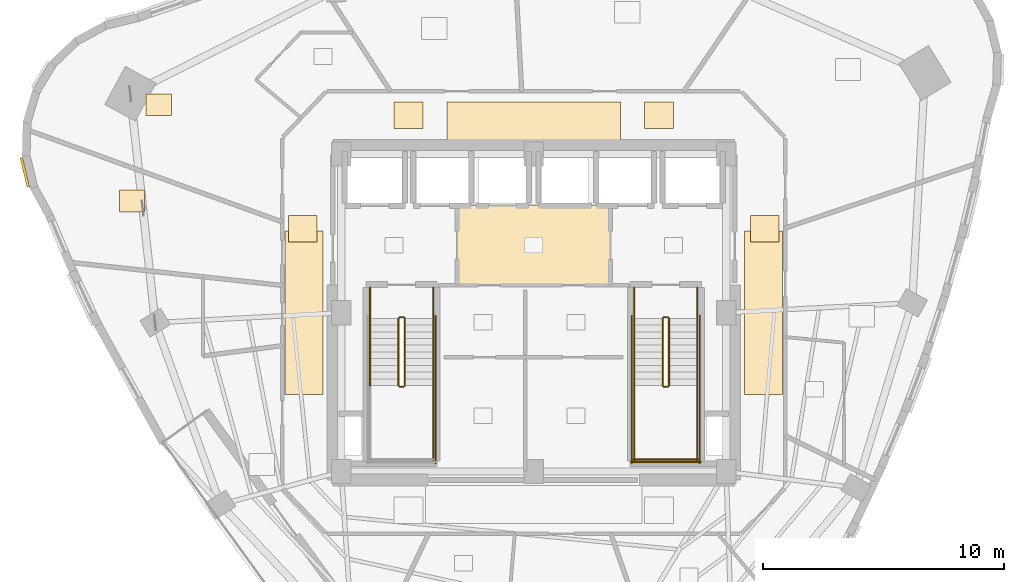
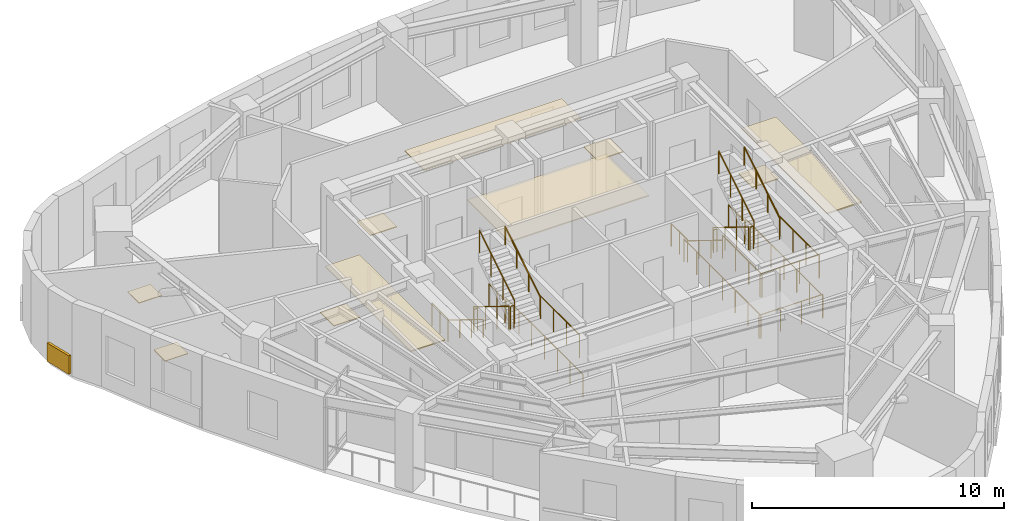
# One storey, part 12 of 13: 24 railings, 11 coverings.
"""IFC4 building model written with IfcOpenShell, lengths in metres."""

from ifc_helpers import new_model, si_unit, direction, frame, origin, origin_2d, place, context, subcontext, project, spatial, rectangle, circle, extrude, material, layer, layer_set, type_object, element, save


model = new_model("IFC4")

# Units and contexts
model_context = context("Model", 3, precision=1e-05, world=origin(), true_north=direction((0.0, 1.0)))
body_context = subcontext(model_context, "Body", "Model", "MODEL_VIEW")
ifc_project = project(units=[si_unit("LENGTHUNIT", "METRE"), si_unit("AREAUNIT", "SQUARE_METRE"), si_unit("VOLUMEUNIT", "CUBIC_METRE"), si_unit("PLANEANGLEUNIT", "RADIAN"), si_unit("MASSUNIT", "GRAM", prefix="KILO")], contexts=[model_context])

# Site, building, storey
site_placement = place(None, origin())
site = spatial("IfcSite", under=ifc_project, at=site_placement, CompositionType="ELEMENT")
building_placement = place(site_placement, origin())
building = spatial("IfcBuilding", under=site, at=building_placement, Name="Ndelora Gate Hotel", CompositionType="ELEMENT")
storey_placement = place(building_placement, frame((0.0, 0.0, 228.35009765625)))
storey = spatial("IfcBuildingStorey", under=building, at=storey_placement, Name="L57", CompositionType="ELEMENT", Elevation=228.35009765625)

# Coverings
ifc_material_1 = material(Name="Perforated Acoustic Gypsum Board", Category="gypsum")
ifc_layer_1 = layer(ifc_material_1, 0.054931640625)
ifc_layer_set_1 = layer_set([ifc_layer_1], Name="Perforated Acoustic Gypsum Board")
covering_type_1 = type_object("IfcCoveringType", Name="COV-CEIL-AC60", PredefinedType="CEILING", material=ifc_layer_set_1)
covering_1_placement = place(storey_placement, frame((0.0, 2.800048828125, 2.72265625), z_axis=(0.0, 0.0, 1.0), x_axis=(1.0, 0.0, 0.0)))
element("IfcCovering", 1, at=covering_1_placement, inside=storey, type_object=covering_type_1, Name="L57 Lift Lobby Acoustic Ceiling", PredefinedType="CEILING", context=body_context, shape_type="SweptSolid", body=[
    extrude(rectangle(XDim=6.39990234375, YDim=3.340087890625, at=origin_2d()), origin(), (0.0, 0.0, 1.0), 0.054931640625),
])
covering_2_placement = place(storey_placement, frame((0.0, 7.9599609375, 2.65234375), z_axis=(0.0, 0.0, 1.0), x_axis=(1.0, 0.0, 0.0)))
element("IfcCovering", 2, at=covering_2_placement, inside=storey, type_object=covering_type_1, Name="L57 Guest Corridor Acoustic Ceiling N", PredefinedType="CEILING", context=body_context, shape_type="SweptSolid", body=[
    extrude(rectangle(XDim=7.199951171875, YDim=1.580078125, at=origin_2d()), origin(), (0.0, 0.0, 1.0), 0.054931640625),
])
for number, where, z_axis, x_axis, name in (
    (3, (-9.550048828125, 0.0, 2.65234375), (0.0, 0.0, 1.0), (1.0, 0.0, 0.0), "L57 Guest Corridor Acoustic Ceiling W"),
    (4, (9.550048828125, 0.0, 2.65234375), (0.0, 0.0, 1.0), (1.0, 0.0, 0.0), "L57 Guest Corridor Acoustic Ceiling E"),
):
    element("IfcCovering", number, at=place(storey_placement, frame(where, z_axis=z_axis, x_axis=x_axis)), inside=storey, type_object=covering_type_1, Name=name, PredefinedType="CEILING", context=body_context, shape_type="SweptSolid", body=[
        extrude(rectangle(XDim=1.580078125, YDim=6.800048828125, at=origin_2d()), origin(), (0.0, 0.0, 1.0), 0.054931640625),
    ])
ifc_material_2 = material(Name="Terracotta Fired Clay Brick Slip Cladding", Category="masonry")
ifc_layer_2 = layer(ifc_material_2, 0.110107421875)
ifc_layer_set_2 = layer_set([ifc_layer_2], Name="Terracotta Fired Clay Brick Slip Cladding")
covering_type_2 = type_object("IfcCoveringType", Name="COV-CLAD-BRK", PredefinedType="CLADDING", material=ifc_layer_set_2)
covering_3_placement = place(storey_placement, frame((-21.147216796875, 5.834228515625, 0.099853515625), z_axis=(0.0, 0.0, 1.0), x_axis=(-0.233445363856, 0.972369920398, 0.0)))
element("IfcCovering", 5, at=covering_3_placement, inside=storey, type_object=covering_type_2, Name="L57 Rounded-Corner Brick Cladding Band 7", PredefinedType="CLADDING", context=body_context, shape_type="SweptSolid", body=[
    extrude(rectangle(XDim=1.258056640625, YDim=0.110107421875, at=origin_2d()), origin(), (0.0, 0.0, 1.0), 0.89990234375),
])
ifc_material_3 = material(Name="Engineered Highland Oak Parquet", Category="wood")
ifc_layer_3 = layer(ifc_material_3, 0.030029296875)
ifc_layer_set_3 = layer_set([ifc_layer_3], Name="Engineered Highland Oak Parquet")
covering_type_3 = type_object("IfcCoveringType", Name="COV-FLR-PARQ", PredefinedType="FLOORING", material=ifc_layer_set_3)
for number, where, z_axis, x_axis, name in (
    (6, (-15.585205078125, 8.64306640625, 0.0), (0.0, 0.0, 1.0), (1.0, 0.0, 0.0), "L57 Altitude King Junior Suite 6004 Oak Parquet Flooring"),
    (7, (-16.696533203125, 4.6455078125, 0.0), (0.0, 0.0, 1.0), (1.0, 0.0, 0.0), "L57 Housekeeping and Linen Room Oak Parquet Flooring"),
):
    element("IfcCovering", number, at=place(storey_placement, frame(where, z_axis=z_axis, x_axis=x_axis)), inside=storey, type_object=covering_type_3, Name=name, PredefinedType="FLOORING", context=body_context, shape_type="SweptSolid", body=[
        extrude(rectangle(XDim=1.050048828125, YDim=0.89990234375, at=origin_2d()), origin(), (0.0, 0.0, 1.0), 0.030029296875),
    ])
ifc_material_4 = material(Name="Polished Highland Stone Terrazzo", Category="masonry")
ifc_layer_4 = layer(ifc_material_4, 0.034912109375)
ifc_layer_set_4 = layer_set([ifc_layer_4], Name="Polished Highland Stone Terrazzo")
covering_type_4 = type_object("IfcCoveringType", Name="COV-FLR-TERZ", PredefinedType="FLOORING", material=ifc_layer_set_4)
for number, where, z_axis, x_axis, name in (
    (8, (-5.199951171875, 8.199951171875, 0.0), (0.0, 0.0, 1.0), (1.0, 0.0, 0.0), "L57 Corridor Threshold Terrazzo Inlay NW"),
    (9, (5.199951171875, 8.199951171875, 0.0), (0.0, 0.0, 1.0), (1.0, 0.0, 0.0), "L57 Corridor Threshold Terrazzo Inlay NE"),
    (10, (-9.60009765625, 3.5, 0.0), (0.0, 0.0, 1.0), (1.0, 0.0, 0.0), "L57 Corridor Threshold Terrazzo Inlay W"),
    (11, (9.60009765625, 3.5, 0.0), (0.0, 0.0, 1.0), (1.0, 0.0, 0.0), "L57 Corridor Threshold Terrazzo Inlay E"),
):
    element("IfcCovering", number, at=place(storey_placement, frame(where, z_axis=z_axis, x_axis=x_axis)), inside=storey, type_object=covering_type_4, Name=name, PredefinedType="FLOORING", context=body_context, shape_type="SweptSolid", body=[
        extrude(rectangle(XDim=1.199951171875, YDim=1.10009765625, at=origin_2d()), origin(), (0.0, 0.0, 1.0), 0.034912109375),
    ])

# Railings
ifc_material_5 = material(Name="Painted Galvanized Steel Balustrade", Category="steel")
ifc_layer_5 = layer(ifc_material_5, 0.06005859375)
ifc_layer_set_5 = layer_set([ifc_layer_5], Name="Painted Galvanized Steel Balustrade")
railing_type_1 = type_object("IfcRailingType", Name="RL-STAIR-GD", PredefinedType="GUARDRAIL", material=ifc_layer_set_5)
railing_1_placement = place(storey_placement, frame((-5.6201171875, -0.22998046875, 0.172607421875)))
element("IfcRailing", 12, at=railing_1_placement, inside=storey, type_object=railing_type_1, Name="L57 ST4 stair guard 1", PredefinedType="GUARDRAIL", context=body_context, shape_type="SweptSolid", body=[
    extrude(circle(Radius=0.02392578125, at=origin_2d()), frame((0.0, 0.0, 1.10595703125), z_axis=(0.0, -0.851089632645, 0.525020415988), x_axis=(1.0, 0.0, 0.0)), (0.0, 0.0, 1.0), 3.2900390625),
    extrude(circle(Radius=0.02099609375, at=origin_2d()), origin(), (0.0, 0.0, 1.0), 1.081787109375),
    extrude(circle(Radius=0.02099609375, at=origin_2d()), frame((0.0, -0.933349609375, 0.57568359375)), (0.0, 0.0, 1.0), 1.081787109375),
    extrude(circle(Radius=0.02099609375, at=origin_2d()), frame((0.0, -1.86669921875, 1.151611328125)), (0.0, 0.0, 1.0), 1.081787109375),
    extrude(circle(Radius=0.02099609375, at=origin_2d()), frame((0.0, -2.800048828125, 1.727294921875)), (0.0, 0.0, 1.0), 1.081787109375),
])
railing_2_placement = place(storey_placement, frame((-5.570068359375, -3.080078125, 1.89990234375)))
element("IfcRailing", 13, at=railing_2_placement, inside=storey, type_object=railing_type_1, Name="L57 ST4 stair guard 2", PredefinedType="GUARDRAIL", context=body_context, shape_type="SweptSolid", body=[
    extrude(circle(Radius=0.02392578125, at=origin_2d()), frame((0.0, 0.0, 1.10595703125), z_axis=(1.0, 0.0, 0.0), x_axis=(0.0, 1.0, 0.0)), (0.0, 0.0, 1.0), 0.16015625),
    extrude(circle(Radius=0.02099609375, at=origin_2d()), origin(), (0.0, 0.0, 1.0), 1.081787109375),
    extrude(circle(Radius=0.02099609375, at=origin_2d()), frame((0.16015625, 0.0, 0.0)), (0.0, 0.0, 1.0), 1.081787109375),
])
railing_3_placement = place(storey_placement, frame((-4.179931640625, -3.030029296875, 1.89990234375)))
element("IfcRailing", 14, at=railing_3_placement, inside=storey, type_object=railing_type_1, Name="L57 ST4 stair guard 4", PredefinedType="GUARDRAIL", context=body_context, shape_type="SweptSolid", body=[
    extrude(circle(Radius=0.02392578125, at=origin_2d()), frame((0.0, 0.0, 1.10595703125), z_axis=(0.0, -1.0, 0.0), x_axis=(1.0, 0.0, 0.0)), (0.0, 0.0, 1.0), 3.119873046875),
    extrude(circle(Radius=0.02099609375, at=origin_2d()), origin(), (0.0, 0.0, 1.0), 1.081787109375),
    extrude(circle(Radius=0.02099609375, at=origin_2d()), frame((0.0, -1.0400390625, 0.0)), (0.0, 0.0, 1.0), 1.081787109375),
    extrude(circle(Radius=0.02099609375, at=origin_2d()), frame((0.0, -2.079833984375, 0.0)), (0.0, 0.0, 1.0), 1.081787109375),
    extrude(circle(Radius=0.02099609375, at=origin_2d()), frame((0.0, -3.119873046875, 0.0)), (0.0, 0.0, 1.0), 1.081787109375),
])
railing_4_placement = place(storey_placement, frame((-5.360107421875, -3.030029296875, 2.072509765625)))
element("IfcRailing", 15, at=railing_4_placement, inside=storey, type_object=railing_type_1, Name="L57 ST4 stair guard 6", PredefinedType="GUARDRAIL", context=body_context, shape_type="SweptSolid", body=[
    extrude(circle(Radius=0.02392578125, at=origin_2d()), frame((0.0, 0.0, 1.10595703125), z_axis=(0.0, 0.851089632645, 0.525020415988), x_axis=(-1.0, 0.0, 0.0)), (0.0, 0.0, 1.0), 3.2900390625),
    extrude(circle(Radius=0.02099609375, at=origin_2d()), origin(), (0.0, 0.0, 1.0), 1.081787109375),
    extrude(circle(Radius=0.02099609375, at=origin_2d()), frame((0.0, 0.933349609375, 0.57568359375)), (0.0, 0.0, 1.0), 1.081787109375),
    extrude(circle(Radius=0.02099609375, at=origin_2d()), frame((0.0, 1.86669921875, 1.151611328125)), (0.0, 0.0, 1.0), 1.081787109375),
    extrude(circle(Radius=0.02099609375, at=origin_2d()), frame((0.0, 2.800048828125, 1.727294921875)), (0.0, 0.0, 1.0), 1.081787109375),
])
railing_5_placement = place(storey_placement, frame((-5.570068359375, -0.179931640625, 0.0)))
element("IfcRailing", 16, at=railing_5_placement, inside=storey, type_object=railing_type_1, Name="L57 ST4 stair guard 7", PredefinedType="GUARDRAIL", context=body_context, shape_type="SweptSolid", body=[
    extrude(circle(Radius=0.02392578125, at=origin_2d()), frame((0.0, 0.0, 1.10595703125), z_axis=(1.0, 0.0, 0.0), x_axis=(0.0, 1.0, 0.0)), (0.0, 0.0, 1.0), 0.16015625),
    extrude(circle(Radius=0.02099609375, at=origin_2d()), origin(), (0.0, 0.0, 1.0), 1.081787109375),
    extrude(circle(Radius=0.02099609375, at=origin_2d()), frame((0.16015625, 0.0, 0.0)), (0.0, 0.0, 1.0), 1.081787109375),
])
for number, where, name in (
    (17, (-6.800048828125, 1.050048828125, 0.0), "L57 ST4 stair guard 8"),
    (18, (-4.179931640625, 1.050048828125, 0.0), "L57 ST4 stair guard 9"),
):
    element("IfcRailing", number, at=place(storey_placement, frame(where)), inside=storey, type_object=railing_type_1, Name=name, PredefinedType="GUARDRAIL", context=body_context, shape_type="SweptSolid", body=[
        extrude(circle(Radius=0.02392578125, at=origin_2d()), frame((0.0, 0.0, 1.10595703125), z_axis=(0.0, -1.0, 0.0), x_axis=(1.0, 0.0, 0.0)), (0.0, 0.0, 1.0), 1.280029296875),
        extrude(circle(Radius=0.02099609375, at=origin_2d()), origin(), (0.0, 0.0, 1.0), 1.081787109375),
        extrude(circle(Radius=0.02099609375, at=origin_2d()), frame((0.0, -0.64013671875, 0.0)), (0.0, 0.0, 1.0), 1.081787109375),
        extrude(circle(Radius=0.02099609375, at=origin_2d()), frame((0.0, -1.280029296875, 0.0)), (0.0, 0.0, 1.0), 1.081787109375),
    ])
railing_6_placement = place(storey_placement, frame((-4.080078125, -0.1298828125, 0.0)))
element("IfcRailing", 19, at=railing_6_placement, inside=storey, type_object=railing_type_1, Name="L57 ST4 stair guard 11", PredefinedType="GUARDRAIL", context=body_context, shape_type="SweptSolid", body=[
    extrude(circle(Radius=0.02392578125, at=origin_2d()), frame((0.0, 0.0, 1.10595703125), z_axis=(0.0, -1.0, 0.0), x_axis=(1.0, 0.0, 0.0)), (0.0, 0.0, 1.0), 6.1201171875),
    extrude(circle(Radius=0.02099609375, at=origin_2d()), origin(), (0.0, 0.0, 1.0), 1.081787109375),
    extrude(circle(Radius=0.02099609375, at=origin_2d()), frame((0.0, -1.02001953125, 0.0)), (0.0, 0.0, 1.0), 1.081787109375),
    extrude(circle(Radius=0.02099609375, at=origin_2d()), frame((0.0, -2.0400390625, 0.0)), (0.0, 0.0, 1.0), 1.081787109375),
    extrude(circle(Radius=0.02099609375, at=origin_2d()), frame((0.0, -3.06005859375, 0.0)), (0.0, 0.0, 1.0), 1.081787109375),
    extrude(circle(Radius=0.02099609375, at=origin_2d()), frame((0.0, -4.080078125, 0.0)), (0.0, 0.0, 1.0), 1.081787109375),
    extrude(circle(Radius=0.02099609375, at=origin_2d()), frame((0.0, -5.10009765625, 0.0)), (0.0, 0.0, 1.0), 1.081787109375),
    extrude(circle(Radius=0.02099609375, at=origin_2d()), frame((0.0, -6.1201171875, 0.0)), (0.0, 0.0, 1.0), 1.081787109375),
])
railing_7_placement = place(storey_placement, frame((5.360107421875, -0.22998046875, 0.172607421875)))
element("IfcRailing", 20, at=railing_7_placement, inside=storey, type_object=railing_type_1, Name="L57 ST5 stair guard 1", PredefinedType="GUARDRAIL", context=body_context, shape_type="SweptSolid", body=[
    extrude(circle(Radius=0.02392578125, at=origin_2d()), frame((0.0, 0.0, 1.10595703125), z_axis=(0.0, -0.851089632645, 0.525020415988), x_axis=(1.0, 0.0, 0.0)), (0.0, 0.0, 1.0), 3.2900390625),
    extrude(circle(Radius=0.02099609375, at=origin_2d()), origin(), (0.0, 0.0, 1.0), 1.081787109375),
    extrude(circle(Radius=0.02099609375, at=origin_2d()), frame((0.0, -0.933349609375, 0.57568359375)), (0.0, 0.0, 1.0), 1.081787109375),
    extrude(circle(Radius=0.02099609375, at=origin_2d()), frame((0.0, -1.86669921875, 1.151611328125)), (0.0, 0.0, 1.0), 1.081787109375),
    extrude(circle(Radius=0.02099609375, at=origin_2d()), frame((0.0, -2.800048828125, 1.727294921875)), (0.0, 0.0, 1.0), 1.081787109375),
])
railing_8_placement = place(storey_placement, frame((5.409912109375, -3.080078125, 1.89990234375)))
element("IfcRailing", 21, at=railing_8_placement, inside=storey, type_object=railing_type_1, Name="L57 ST5 stair guard 2", PredefinedType="GUARDRAIL", context=body_context, shape_type="SweptSolid", body=[
    extrude(circle(Radius=0.02392578125, at=origin_2d()), frame((0.0, 0.0, 1.10595703125), z_axis=(1.0, 0.0, 0.0), x_axis=(0.0, 1.0, 0.0)), (0.0, 0.0, 1.0), 0.16015625),
    extrude(circle(Radius=0.02099609375, at=origin_2d()), origin(), (0.0, 0.0, 1.0), 1.081787109375),
    extrude(circle(Radius=0.02099609375, at=origin_2d()), frame((0.16015625, 0.0, 0.0)), (0.0, 0.0, 1.0), 1.081787109375),
])
for number, where, name in (
    (22, (4.179931640625, -3.030029296875, 1.89990234375), "L57 ST5 stair guard 3"),
    (23, (6.800048828125, -3.030029296875, 1.89990234375), "L57 ST5 stair guard 4"),
):
    element("IfcRailing", number, at=place(storey_placement, frame(where)), inside=storey, type_object=railing_type_1, Name=name, PredefinedType="GUARDRAIL", context=body_context, shape_type="SweptSolid", body=[
        extrude(circle(Radius=0.02392578125, at=origin_2d()), frame((0.0, 0.0, 1.10595703125), z_axis=(0.0, -1.0, 0.0), x_axis=(1.0, 0.0, 0.0)), (0.0, 0.0, 1.0), 3.119873046875),
        extrude(circle(Radius=0.02099609375, at=origin_2d()), origin(), (0.0, 0.0, 1.0), 1.081787109375),
        extrude(circle(Radius=0.02099609375, at=origin_2d()), frame((0.0, -1.0400390625, 0.0)), (0.0, 0.0, 1.0), 1.081787109375),
        extrude(circle(Radius=0.02099609375, at=origin_2d()), frame((0.0, -2.079833984375, 0.0)), (0.0, 0.0, 1.0), 1.081787109375),
        extrude(circle(Radius=0.02099609375, at=origin_2d()), frame((0.0, -3.119873046875, 0.0)), (0.0, 0.0, 1.0), 1.081787109375),
    ])
railing_9_placement = place(storey_placement, frame((4.1298828125, -6.10009765625, 1.89990234375)))
element("IfcRailing", 24, at=railing_9_placement, inside=storey, type_object=railing_type_1, Name="L57 ST5 stair guard 5", PredefinedType="GUARDRAIL", context=body_context, shape_type="SweptSolid", body=[
    extrude(circle(Radius=0.02392578125, at=origin_2d()), frame((0.0, 0.0, 1.10595703125), z_axis=(1.0, 0.0, 0.0), x_axis=(0.0, 1.0, 0.0)), (0.0, 0.0, 1.0), 2.72021484375),
    extrude(circle(Radius=0.02099609375, at=origin_2d()), origin(), (0.0, 0.0, 1.0), 1.081787109375),
    extrude(circle(Radius=0.02099609375, at=origin_2d()), frame((0.90673828125, 0.0, 0.0)), (0.0, 0.0, 1.0), 1.081787109375),
    extrude(circle(Radius=0.02099609375, at=origin_2d()), frame((1.8134765625, 0.0, 0.0)), (0.0, 0.0, 1.0), 1.081787109375),
    extrude(circle(Radius=0.02099609375, at=origin_2d()), frame((2.72021484375, 0.0, 0.0)), (0.0, 0.0, 1.0), 1.081787109375),
])
railing_10_placement = place(storey_placement, frame((5.6201171875, -3.030029296875, 2.072509765625)))
element("IfcRailing", 25, at=railing_10_placement, inside=storey, type_object=railing_type_1, Name="L57 ST5 stair guard 6", PredefinedType="GUARDRAIL", context=body_context, shape_type="SweptSolid", body=[
    extrude(circle(Radius=0.02392578125, at=origin_2d()), frame((0.0, 0.0, 1.10595703125), z_axis=(0.0, 0.851089632645, 0.525020415988), x_axis=(-1.0, 0.0, 0.0)), (0.0, 0.0, 1.0), 3.2900390625),
    extrude(circle(Radius=0.02099609375, at=origin_2d()), origin(), (0.0, 0.0, 1.0), 1.081787109375),
    extrude(circle(Radius=0.02099609375, at=origin_2d()), frame((0.0, 0.933349609375, 0.57568359375)), (0.0, 0.0, 1.0), 1.081787109375),
    extrude(circle(Radius=0.02099609375, at=origin_2d()), frame((0.0, 1.86669921875, 1.151611328125)), (0.0, 0.0, 1.0), 1.081787109375),
    extrude(circle(Radius=0.02099609375, at=origin_2d()), frame((0.0, 2.800048828125, 1.727294921875)), (0.0, 0.0, 1.0), 1.081787109375),
])
railing_11_placement = place(storey_placement, frame((5.409912109375, -0.179931640625, 0.0)))
element("IfcRailing", 26, at=railing_11_placement, inside=storey, type_object=railing_type_1, Name="L57 ST5 stair guard 7", PredefinedType="GUARDRAIL", context=body_context, shape_type="SweptSolid", body=[
    extrude(circle(Radius=0.02392578125, at=origin_2d()), frame((0.0, 0.0, 1.10595703125), z_axis=(1.0, 0.0, 0.0), x_axis=(0.0, 1.0, 0.0)), (0.0, 0.0, 1.0), 0.16015625),
    extrude(circle(Radius=0.02099609375, at=origin_2d()), origin(), (0.0, 0.0, 1.0), 1.081787109375),
    extrude(circle(Radius=0.02099609375, at=origin_2d()), frame((0.16015625, 0.0, 0.0)), (0.0, 0.0, 1.0), 1.081787109375),
])
for number, where, name in (
    (27, (4.179931640625, 1.050048828125, 0.0), "L57 ST5 stair guard 8"),
    (28, (6.800048828125, 1.050048828125, 0.0), "L57 ST5 stair guard 9"),
):
    element("IfcRailing", number, at=place(storey_placement, frame(where)), inside=storey, type_object=railing_type_1, Name=name, PredefinedType="GUARDRAIL", context=body_context, shape_type="SweptSolid", body=[
        extrude(circle(Radius=0.02392578125, at=origin_2d()), frame((0.0, 0.0, 1.10595703125), z_axis=(0.0, -1.0, 0.0), x_axis=(1.0, 0.0, 0.0)), (0.0, 0.0, 1.0), 1.280029296875),
        extrude(circle(Radius=0.02099609375, at=origin_2d()), origin(), (0.0, 0.0, 1.0), 1.081787109375),
        extrude(circle(Radius=0.02099609375, at=origin_2d()), frame((0.0, -0.64013671875, 0.0)), (0.0, 0.0, 1.0), 1.081787109375),
        extrude(circle(Radius=0.02099609375, at=origin_2d()), frame((0.0, -1.280029296875, 0.0)), (0.0, 0.0, 1.0), 1.081787109375),
    ])
for number, where, name in (
    (29, (4.080078125, -0.1298828125, 0.0), "L57 ST5 stair guard 10"),
    (30, (6.89990234375, -0.1298828125, 0.0), "L57 ST5 stair guard 11"),
):
    element("IfcRailing", number, at=place(storey_placement, frame(where)), inside=storey, type_object=railing_type_1, Name=name, PredefinedType="GUARDRAIL", context=body_context, shape_type="SweptSolid", body=[
        extrude(circle(Radius=0.02392578125, at=origin_2d()), frame((0.0, 0.0, 1.10595703125), z_axis=(0.0, -1.0, 0.0), x_axis=(1.0, 0.0, 0.0)), (0.0, 0.0, 1.0), 6.1201171875),
        extrude(circle(Radius=0.02099609375, at=origin_2d()), origin(), (0.0, 0.0, 1.0), 1.081787109375),
        extrude(circle(Radius=0.02099609375, at=origin_2d()), frame((0.0, -1.02001953125, 0.0)), (0.0, 0.0, 1.0), 1.081787109375),
        extrude(circle(Radius=0.02099609375, at=origin_2d()), frame((0.0, -2.0400390625, 0.0)), (0.0, 0.0, 1.0), 1.081787109375),
        extrude(circle(Radius=0.02099609375, at=origin_2d()), frame((0.0, -3.06005859375, 0.0)), (0.0, 0.0, 1.0), 1.081787109375),
        extrude(circle(Radius=0.02099609375, at=origin_2d()), frame((0.0, -4.080078125, 0.0)), (0.0, 0.0, 1.0), 1.081787109375),
        extrude(circle(Radius=0.02099609375, at=origin_2d()), frame((0.0, -5.10009765625, 0.0)), (0.0, 0.0, 1.0), 1.081787109375),
        extrude(circle(Radius=0.02099609375, at=origin_2d()), frame((0.0, -6.1201171875, 0.0)), (0.0, 0.0, 1.0), 1.081787109375),
    ])
railing_12_placement = place(storey_placement, frame((4.030029296875, -6.199951171875, 0.0)))
element("IfcRailing", 31, at=railing_12_placement, inside=storey, type_object=railing_type_1, Name="L57 ST5 stair guard 12", PredefinedType="GUARDRAIL", context=body_context, shape_type="SweptSolid", body=[
    extrude(circle(Radius=0.02392578125, at=origin_2d()), frame((0.0, 0.0, 1.10595703125), z_axis=(1.0, 0.0, 0.0), x_axis=(0.0, 1.0, 0.0)), (0.0, 0.0, 1.0), 2.919921875),
    extrude(circle(Radius=0.02099609375, at=origin_2d()), origin(), (0.0, 0.0, 1.0), 1.081787109375),
    extrude(circle(Radius=0.02099609375, at=origin_2d()), frame((0.973388671875, 0.0, 0.0)), (0.0, 0.0, 1.0), 1.081787109375),
    extrude(circle(Radius=0.02099609375, at=origin_2d()), frame((1.946533203125, 0.0, 0.0)), (0.0, 0.0, 1.0), 1.081787109375),
    extrude(circle(Radius=0.02099609375, at=origin_2d()), frame((2.919921875, 0.0, 0.0)), (0.0, 0.0, 1.0), 1.081787109375),
])
ifc_material_6 = material(Name="Brushed Stainless Steel 316", Category="steel")
ifc_layer_6 = layer(ifc_material_6, 0.050048828125)
ifc_layer_set_6 = layer_set([ifc_layer_6], Name="Brushed Stainless Steel 316")
railing_type_2 = type_object("IfcRailingType", Name="RL-STAIR-HR", PredefinedType="HANDRAIL", material=ifc_layer_set_6)
railing_13_placement = place(storey_placement, frame((-6.800048828125, -0.22998046875, 0.172607421875)))
element("IfcRailing", 32, at=railing_13_placement, inside=storey, type_object=railing_type_2, Name="L57 ST4 stair handrail 1", PredefinedType="HANDRAIL", context=body_context, shape_type="SweptSolid", body=[
    extrude(circle(Radius=0.02392578125, at=origin_2d()), frame((0.0, 0.0, 0.8759765625), z_axis=(0.0, -0.851089632645, 0.525020415988), x_axis=(1.0, 0.0, 0.0)), (0.0, 0.0, 1.0), 3.2900390625),
    extrude(circle(Radius=0.02099609375, at=origin_2d()), origin(), (0.0, 0.0, 1.0), 0.851806640625),
    extrude(circle(Radius=0.02099609375, at=origin_2d()), frame((0.0, -0.933349609375, 0.57568359375)), (0.0, 0.0, 1.0), 0.851806640625),
    extrude(circle(Radius=0.02099609375, at=origin_2d()), frame((0.0, -1.86669921875, 1.151611328125)), (0.0, 0.0, 1.0), 0.851806640625),
    extrude(circle(Radius=0.02099609375, at=origin_2d()), frame((0.0, -2.800048828125, 1.727294921875)), (0.0, 0.0, 1.0), 0.851806640625),
])
railing_14_placement = place(storey_placement, frame((-4.179931640625, -3.030029296875, 2.072509765625)))
element("IfcRailing", 33, at=railing_14_placement, inside=storey, type_object=railing_type_2, Name="L57 ST4 stair handrail 2", PredefinedType="HANDRAIL", context=body_context, shape_type="SweptSolid", body=[
    extrude(circle(Radius=0.02392578125, at=origin_2d()), frame((0.0, 0.0, 0.8759765625), z_axis=(0.0, 0.851089632645, 0.525020415988), x_axis=(-1.0, 0.0, 0.0)), (0.0, 0.0, 1.0), 3.2900390625),
    extrude(circle(Radius=0.02099609375, at=origin_2d()), origin(), (0.0, 0.0, 1.0), 0.851806640625),
    extrude(circle(Radius=0.02099609375, at=origin_2d()), frame((0.0, 0.933349609375, 0.57568359375)), (0.0, 0.0, 1.0), 0.851806640625),
    extrude(circle(Radius=0.02099609375, at=origin_2d()), frame((0.0, 1.86669921875, 1.151611328125)), (0.0, 0.0, 1.0), 0.851806640625),
    extrude(circle(Radius=0.02099609375, at=origin_2d()), frame((0.0, 2.800048828125, 1.727294921875)), (0.0, 0.0, 1.0), 0.851806640625),
])
railing_15_placement = place(storey_placement, frame((4.179931640625, -0.22998046875, 0.172607421875)))
element("IfcRailing", 34, at=railing_15_placement, inside=storey, type_object=railing_type_2, Name="L57 ST5 stair handrail 1", PredefinedType="HANDRAIL", context=body_context, shape_type="SweptSolid", body=[
    extrude(circle(Radius=0.02392578125, at=origin_2d()), frame((0.0, 0.0, 0.8759765625), z_axis=(0.0, -0.851089632645, 0.525020415988), x_axis=(1.0, 0.0, 0.0)), (0.0, 0.0, 1.0), 3.2900390625),
    extrude(circle(Radius=0.02099609375, at=origin_2d()), origin(), (0.0, 0.0, 1.0), 0.851806640625),
    extrude(circle(Radius=0.02099609375, at=origin_2d()), frame((0.0, -0.933349609375, 0.57568359375)), (0.0, 0.0, 1.0), 0.851806640625),
    extrude(circle(Radius=0.02099609375, at=origin_2d()), frame((0.0, -1.86669921875, 1.151611328125)), (0.0, 0.0, 1.0), 0.851806640625),
    extrude(circle(Radius=0.02099609375, at=origin_2d()), frame((0.0, -2.800048828125, 1.727294921875)), (0.0, 0.0, 1.0), 0.851806640625),
])
railing_16_placement = place(storey_placement, frame((6.800048828125, -3.030029296875, 2.072509765625)))
element("IfcRailing", 35, at=railing_16_placement, inside=storey, type_object=railing_type_2, Name="L57 ST5 stair handrail 2", PredefinedType="HANDRAIL", context=body_context, shape_type="SweptSolid", body=[
    extrude(circle(Radius=0.02392578125, at=origin_2d()), frame((0.0, 0.0, 0.8759765625), z_axis=(0.0, 0.851089632645, 0.525020415988), x_axis=(-1.0, 0.0, 0.0)), (0.0, 0.0, 1.0), 3.2900390625),
    extrude(circle(Radius=0.02099609375, at=origin_2d()), origin(), (0.0, 0.0, 1.0), 0.851806640625),
    extrude(circle(Radius=0.02099609375, at=origin_2d()), frame((0.0, 0.933349609375, 0.57568359375)), (0.0, 0.0, 1.0), 0.851806640625),
    extrude(circle(Radius=0.02099609375, at=origin_2d()), frame((0.0, 1.86669921875, 1.151611328125)), (0.0, 0.0, 1.0), 0.851806640625),
    extrude(circle(Radius=0.02099609375, at=origin_2d()), frame((0.0, 2.800048828125, 1.727294921875)), (0.0, 0.0, 1.0), 0.851806640625),
])

save(model, "model.ifc")
